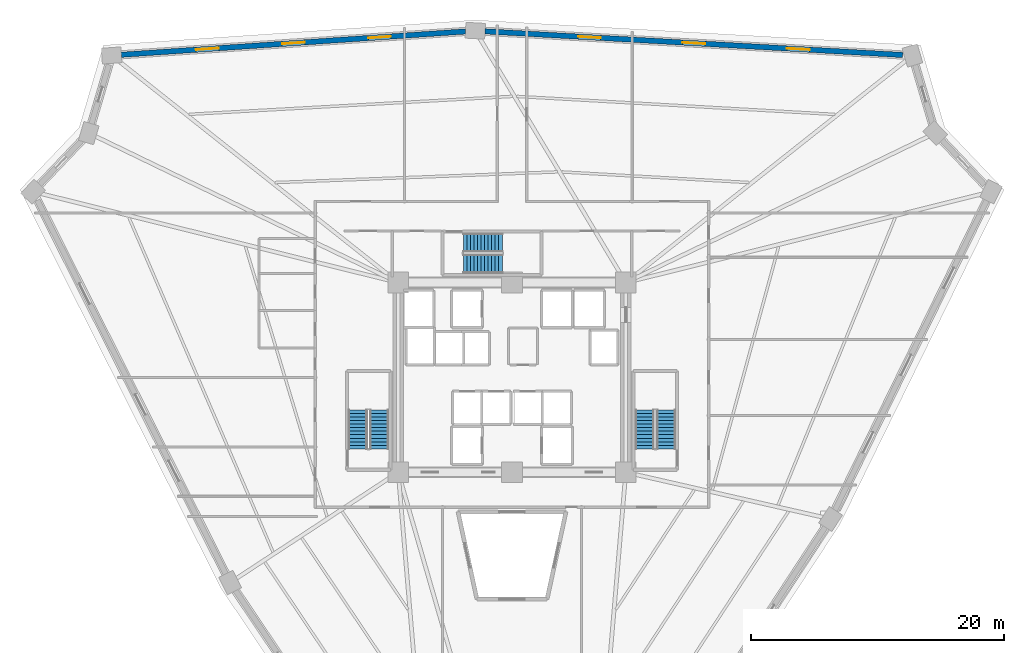
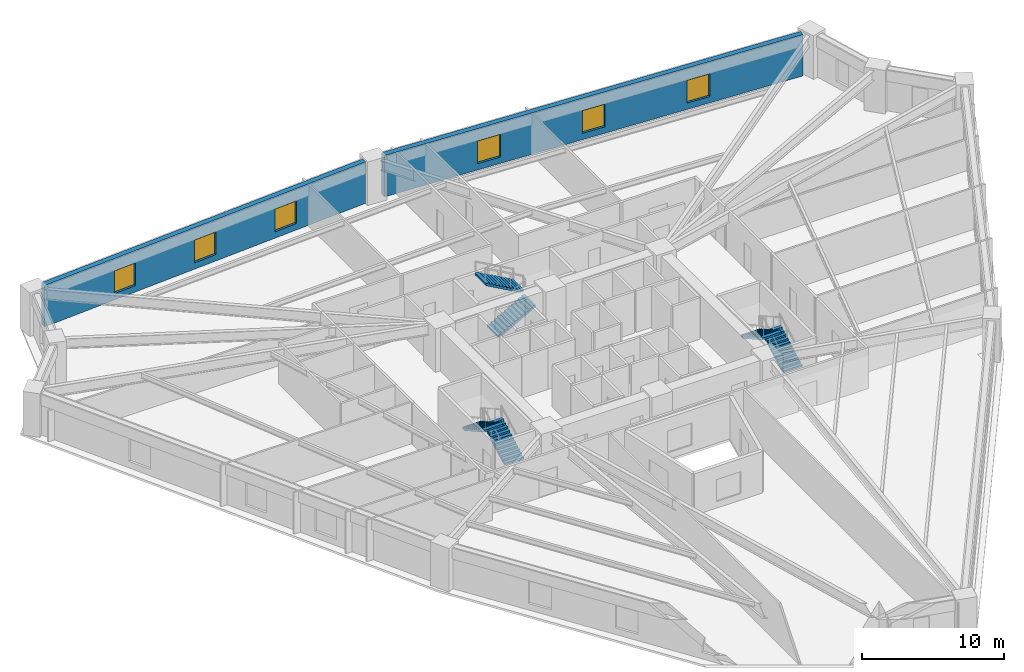
# One storey, part 7 of 9: 6 stair flights, 6 windows, 2 walls, 6 openings, 3 elements without a shape of their own.
"""IFC4 building model written with IfcOpenShell, lengths in metres."""

from ifc_helpers import new_model, si_unit, direction, frame, frame_2d, origin, place, context, subcontext, project, spatial, polyline, rectangle, outline, extrude, source, transform, mapped, material, layer, layer_set, type_object, element, fill, aggregate, save


model = new_model("IFC4")

# Units and contexts
model_context = context("Model", 3, precision=1e-05, world=origin(), true_north=direction((0.0, 1.0)))
body_context = subcontext(model_context, "Body", "Model", "MODEL_VIEW")
ifc_project = project(units=[si_unit("LENGTHUNIT", "METRE"), si_unit("AREAUNIT", "SQUARE_METRE"), si_unit("VOLUMEUNIT", "CUBIC_METRE"), si_unit("PLANEANGLEUNIT", "RADIAN"), si_unit("MASSUNIT", "GRAM", prefix="KILO")], contexts=[model_context])

# Site, building, storey
site_placement = place(None, origin())
site = spatial("IfcSite", under=ifc_project, at=site_placement, CompositionType="ELEMENT")
building_placement = place(site_placement, origin())
building = spatial("IfcBuilding", under=site, at=building_placement, Name="Liaohun Quay Tower", CompositionType="ELEMENT")
storey_placement = place(building_placement, frame((0.0, 0.0, 74.25)))
storey = spatial("IfcBuildingStorey", under=building, at=storey_placement, Name="L19", CompositionType="ELEMENT", Elevation=74.25)

# Wall, openings, windows
ifc_material_1 = material(Name="Precast concrete C50 insulated sandwich", Category="concrete")
ifc_layer = layer(ifc_material_1, 0.419921875, Name="Precast concrete C50 insulated sandwich", Category="concrete")
ifc_layer_set = layer_set([ifc_layer], Name="Precast concrete C50 insulated sandwich")
wall_type = type_object("IfcWallType", Name="WAL-EXT-Z12", PredefinedType="SOLIDWALL", material=ifc_layer_set)
wall_1_placement = place(storey_placement, frame((90.902099609375, 79.5029296875, 0.0), z_axis=(0.0, 0.0, 1.0), x_axis=(-0.998398734181, 0.056568255998, 0.0)))
wall_1 = element("IfcWall", 1, at=wall_1_placement, inside=storey, type_object=wall_type, Name="L19 Brutalist Precast Pier Wall 06", PredefinedType="SOLIDWALL", context=body_context, shape_type="SweptSolid", body=[
    extrude(rectangle(XDim=33.093994140625, YDim=0.419921875, at=frame_2d((16.546875, 0.0))), origin(), (0.0, 0.0, 1.0), 3.570068359375),
])
shared_shape_1 = source(origin(), body_context, "Body", "SweptSolid", [
    extrude(rectangle(XDim=1.800048828125, YDim=1.949951171875, at=frame_2d((0.89990234375, 0.97509765625))), frame((0.0, 0.219970703125, 0.0), z_axis=(0.0, -1.0, 0.0), x_axis=(1.0, 0.0, 0.0)), (0.0, 0.0, 1.0), 0.43994140625),
])
opening_1_placement = place(wall_1_placement, frame((7.373046875, 0.0, 0.550048828125)))
opening_1 = element("IfcOpeningElement", 2, at=opening_1_placement, cuts=wall_1, Name="Opening W01", PredefinedType="OPENING", context=body_context, shape_type="MappedRepresentation", body=[
    mapped(shared_shape_1, transform((0.0, 0.0, 0.0), x_axis=(1.0, 0.0, 0.0), y_axis=(0.0, 1.0, 0.0), z_axis=(0.0, 0.0, 1.0), scale=1.0)),
])
opening_2_placement = place(wall_1_placement, frame((15.64697265625, 0.0, 0.550048828125)))
opening_2 = element("IfcOpeningElement", 3, at=opening_2_placement, cuts=wall_1, Name="Opening W01", PredefinedType="OPENING", context=body_context, shape_type="MappedRepresentation", body=[
    mapped(shared_shape_1, transform((0.0, 0.0, 0.0), x_axis=(1.0, 0.0, 0.0), y_axis=(0.0, 1.0, 0.0), z_axis=(0.0, 0.0, 1.0), scale=1.0)),
])
opening_3_placement = place(wall_1_placement, frame((23.919921875, 0.0, 0.550048828125)))
opening_3 = element("IfcOpeningElement", 4, at=opening_3_placement, cuts=wall_1, Name="Opening W01", PredefinedType="OPENING", context=body_context, shape_type="MappedRepresentation", body=[
    mapped(shared_shape_1, transform((0.0, 0.0, 0.0), x_axis=(1.0, 0.0, 0.0), y_axis=(0.0, 1.0, 0.0), z_axis=(0.0, 0.0, 1.0), scale=1.0)),
])
ifc_material_2 = material(Name="Triple Low-E argon glazing in thermally broken aluminium", Category="aluminium")
window_type = type_object("IfcWindowType", Name="WIN-PUN-Z1", PartitioningType="DOUBLE_PANEL_VERTICAL", PredefinedType="WINDOW", material=ifc_material_2)
shared_shape_2 = source(origin(), body_context, "Body", "SweptSolid", [
    extrude(rectangle(XDim=1.800048828125, YDim=1.949951171875, at=frame_2d((0.89990234375, 0.97509765625))), frame((0.0, 0.030029296875, 0.0), z_axis=(0.0, -1.0, 0.0), x_axis=(1.0, 0.0, 0.0)), (0.0, 0.0, 1.0), 0.06005859375),
])
window_1_placement = place(opening_1_placement, origin())
window_1 = element("IfcWindow", 5, at=window_1_placement, inside=storey, type_object=window_type, Name="L19 Recessed Cold-Climate Punched Window 06-1", OverallHeight=1.949951171875, OverallWidth=1.800048828125, PartitioningType="DOUBLE_PANEL_VERTICAL", PredefinedType="WINDOW", context=body_context, shape_type="MappedRepresentation", body=[
    mapped(shared_shape_2, transform((0.0, 0.0, 0.0), x_axis=(1.0, 0.0, 0.0), y_axis=(0.0, 1.0, 0.0), z_axis=(0.0, 0.0, 1.0), scale=1.0)),
])
fill(opening_1, window_1)
window_2_placement = place(opening_2_placement, origin())
window_2 = element("IfcWindow", 6, at=window_2_placement, inside=storey, type_object=window_type, Name="L19 Recessed Cold-Climate Punched Window 06-2", OverallHeight=1.949951171875, OverallWidth=1.800048828125, PartitioningType="DOUBLE_PANEL_VERTICAL", PredefinedType="WINDOW", context=body_context, shape_type="MappedRepresentation", body=[
    mapped(shared_shape_2, transform((0.0, 0.0, 0.0), x_axis=(1.0, 0.0, 0.0), y_axis=(0.0, 1.0, 0.0), z_axis=(0.0, 0.0, 1.0), scale=1.0)),
])
fill(opening_2, window_2)
window_3_placement = place(opening_3_placement, origin())
window_3 = element("IfcWindow", 7, at=window_3_placement, inside=storey, type_object=window_type, Name="L19 Recessed Cold-Climate Punched Window 06-3", OverallHeight=1.949951171875, OverallWidth=1.800048828125, PartitioningType="DOUBLE_PANEL_VERTICAL", PredefinedType="WINDOW", context=body_context, shape_type="MappedRepresentation", body=[
    mapped(shared_shape_2, transform((0.0, 0.0, 0.0), x_axis=(1.0, 0.0, 0.0), y_axis=(0.0, 1.0, 0.0), z_axis=(0.0, 0.0, 1.0), scale=1.0)),
])
fill(opening_3, window_3)

wall_2_placement = place(storey_placement, frame((56.333984375, 81.365966796875, 0.0), z_axis=(0.0, 0.0, 1.0), x_axis=(-0.997708484566, -0.067659292233, 0.0)))
wall_2 = element("IfcWall", 8, at=wall_2_placement, inside=storey, type_object=wall_type, Name="L19 Brutalist Precast Pier Wall 07", PredefinedType="SOLIDWALL", context=body_context, shape_type="SweptSolid", body=[
    extrude(rectangle(XDim=27.29736328125, YDim=0.419921875, at=frame_2d((13.648681640625, 0.0))), origin(), (0.0, 0.0, 1.0), 3.570068359375),
])
opening_4_placement = place(wall_2_placement, frame((5.924072265625, 0.0, 0.550048828125)))
opening_4 = element("IfcOpeningElement", 9, at=opening_4_placement, cuts=wall_2, Name="Opening W01", PredefinedType="OPENING", context=body_context, shape_type="MappedRepresentation", body=[
    mapped(shared_shape_1, transform((0.0, 0.0, 0.0), x_axis=(1.0, 0.0, 0.0), y_axis=(0.0, 1.0, 0.0), z_axis=(0.0, 0.0, 1.0), scale=1.0)),
])
opening_5_placement = place(wall_2_placement, frame((12.7490234375, 0.0, 0.550048828125)))
opening_5 = element("IfcOpeningElement", 10, at=opening_5_placement, cuts=wall_2, Name="Opening W01", PredefinedType="OPENING", context=body_context, shape_type="MappedRepresentation", body=[
    mapped(shared_shape_1, transform((0.0, 0.0, 0.0), x_axis=(1.0, 0.0, 0.0), y_axis=(0.0, 1.0, 0.0), z_axis=(0.0, 0.0, 1.0), scale=1.0)),
])
opening_6_placement = place(wall_2_placement, frame((19.572998046875, 0.0, 0.550048828125)))
opening_6 = element("IfcOpeningElement", 11, at=opening_6_placement, cuts=wall_2, Name="Opening W01", PredefinedType="OPENING", context=body_context, shape_type="MappedRepresentation", body=[
    mapped(shared_shape_1, transform((0.0, 0.0, 0.0), x_axis=(1.0, 0.0, 0.0), y_axis=(0.0, 1.0, 0.0), z_axis=(0.0, 0.0, 1.0), scale=1.0)),
])
window_4_placement = place(opening_4_placement, origin())
window_4 = element("IfcWindow", 12, at=window_4_placement, inside=storey, type_object=window_type, Name="L19 Recessed Cold-Climate Punched Window 07-1", OverallHeight=1.949951171875, OverallWidth=1.800048828125, PartitioningType="DOUBLE_PANEL_VERTICAL", PredefinedType="WINDOW", context=body_context, shape_type="MappedRepresentation", body=[
    mapped(shared_shape_2, transform((0.0, 0.0, 0.0), x_axis=(1.0, 0.0, 0.0), y_axis=(0.0, 1.0, 0.0), z_axis=(0.0, 0.0, 1.0), scale=1.0)),
])
fill(opening_4, window_4)
window_5_placement = place(opening_5_placement, origin())
window_5 = element("IfcWindow", 13, at=window_5_placement, inside=storey, type_object=window_type, Name="L19 Recessed Cold-Climate Punched Window 07-2", OverallHeight=1.949951171875, OverallWidth=1.800048828125, PartitioningType="DOUBLE_PANEL_VERTICAL", PredefinedType="WINDOW", context=body_context, shape_type="MappedRepresentation", body=[
    mapped(shared_shape_2, transform((0.0, 0.0, 0.0), x_axis=(1.0, 0.0, 0.0), y_axis=(0.0, 1.0, 0.0), z_axis=(0.0, 0.0, 1.0), scale=1.0)),
])
fill(opening_5, window_5)
window_6_placement = place(opening_6_placement, origin())
window_6 = element("IfcWindow", 14, at=window_6_placement, inside=storey, type_object=window_type, Name="L19 Recessed Cold-Climate Punched Window 07-3", OverallHeight=1.949951171875, OverallWidth=1.800048828125, PartitioningType="DOUBLE_PANEL_VERTICAL", PredefinedType="WINDOW", context=body_context, shape_type="MappedRepresentation", body=[
    mapped(shared_shape_2, transform((0.0, 0.0, 0.0), x_axis=(1.0, 0.0, 0.0), y_axis=(0.0, 1.0, 0.0), z_axis=(0.0, 0.0, 1.0), scale=1.0)),
])
fill(opening_6, window_6)

# Stair, stair flights
ifc_material_3 = material(Name="Concrete C45", Category="concrete")
stair_type = type_object("IfcStairType", Name="STR-CORE-OFF", PredefinedType="HALF_TURN_STAIR", material=ifc_material_3)
stair_1_placement = place(storey_placement, origin())
stair_1 = element("IfcStair", 15, at=stair_1_placement, inside=storey, type_object=stair_type, Name="L19 Smokeproof Core Exit Stair ST-1", PredefinedType="HALF_TURN_STAIR")
stair_flight_type = type_object("IfcStairFlightType", Name="FLT-CORE-155", PredefinedType="STRAIGHT", material=ifc_material_3)
stair_flight_1_placement = place(storey_placement, frame((49.5048828125, 48.35009765625, 0.0), z_axis=(0.0, 0.0, 1.0), x_axis=(0.0, 1.0, 0.0)))
stair_flight_1 = element("IfcStairFlight", 16, at=stair_flight_1_placement, type_object=stair_flight_type, Name="ST-1 flight 1", NumberOfRisers=12, NumberOfTreads=11, PredefinedType="STRAIGHT", RiserHeight=0.15625, TreadLength=0.28, context=body_context, shape_type="SweptSolid", body=[
    extrude(outline(polyline([(0.0, 0.0), (0.0, 0.15625), (0.280029296875, 0.15625), (0.280029296875, 0.3125), (0.56005859375, 0.3125), (0.56005859375, 0.46875), (0.840087890625, 0.46875), (0.840087890625, 0.625), (1.1201171875, 0.625), (1.1201171875, 0.78125), (1.39990234375, 0.78125), (1.39990234375, 0.9375), (1.679931640625, 0.9375), (1.679931640625, 1.09375), (1.9599609375, 1.09375), (1.9599609375, 1.25), (2.239990234375, 1.25), (2.239990234375, 1.40625), (2.52001953125, 1.40625), (2.52001953125, 1.5625), (2.800048828125, 1.5625), (2.800048828125, 1.71875), (3.080078125, 1.71875), (3.080078125, 1.875), (3.080078125, 1.547119140625), (0.3076171875, 0.0), (0.0, 0.0)])), frame((0.0, 0.77490234375, 0.0), z_axis=(0.0, -1.0, 0.0), x_axis=(1.0, 0.0, 0.0)), (0.0, 0.0, 1.0), 1.550048828125),
])
stair_flight_2_placement = place(storey_placement, frame((47.81494140625, 51.429931640625, 1.875), z_axis=(0.0, 0.0, 1.0), x_axis=(0.0, -1.0, 0.0)))
stair_flight_2 = element("IfcStairFlight", 17, at=stair_flight_2_placement, type_object=stair_flight_type, Name="ST-1 flight 2", NumberOfRisers=12, NumberOfTreads=11, PredefinedType="STRAIGHT", RiserHeight=0.15625, TreadLength=0.28, context=body_context, shape_type="SweptSolid", body=[
    extrude(outline(polyline([(0.0, 0.0), (0.0, 0.15625), (0.280029296875, 0.15625), (0.280029296875, 0.3125), (0.56005859375, 0.3125), (0.56005859375, 0.46875), (0.840087890625, 0.46875), (0.840087890625, 0.625), (1.1201171875, 0.625), (1.1201171875, 0.78125), (1.39990234375, 0.78125), (1.39990234375, 0.9375), (1.679931640625, 0.9375), (1.679931640625, 1.09375), (1.9599609375, 1.09375), (1.9599609375, 1.25), (2.239990234375, 1.25), (2.239990234375, 1.40625), (2.52001953125, 1.40625), (2.52001953125, 1.5625), (2.800048828125, 1.5625), (2.800048828125, 1.71875), (3.080078125, 1.71875), (3.080078125, 1.875), (3.080078125, 1.547119140625), (0.3076171875, 0.0), (0.0, 0.0)])), frame((0.0, 0.77490234375, 0.0), z_axis=(0.0, -1.0, 0.0), x_axis=(1.0, 0.0, 0.0)), (0.0, 0.0, 1.0), 1.550048828125),
])
aggregate(stair_1, [stair_flight_1, stair_flight_2])

stair_2_placement = place(storey_placement, origin())
stair_2 = element("IfcStair", 18, at=stair_2_placement, inside=storey, type_object=stair_type, Name="L19 Smokeproof Core Exit Stair ST-2", PredefinedType="HALF_TURN_STAIR")
stair_flight_3_placement = place(storey_placement, frame((72.18505859375, 48.35009765625, 0.0), z_axis=(0.0, 0.0, 1.0), x_axis=(0.0, 1.0, 0.0)))
stair_flight_3 = element("IfcStairFlight", 19, at=stair_flight_3_placement, type_object=stair_flight_type, Name="ST-2 flight 1", NumberOfRisers=12, NumberOfTreads=11, PredefinedType="STRAIGHT", RiserHeight=0.15625, TreadLength=0.28, context=body_context, shape_type="SweptSolid", body=[
    extrude(outline(polyline([(0.0, 0.0), (0.0, 0.15625), (0.280029296875, 0.15625), (0.280029296875, 0.3125), (0.56005859375, 0.3125), (0.56005859375, 0.46875), (0.840087890625, 0.46875), (0.840087890625, 0.625), (1.1201171875, 0.625), (1.1201171875, 0.78125), (1.39990234375, 0.78125), (1.39990234375, 0.9375), (1.679931640625, 0.9375), (1.679931640625, 1.09375), (1.9599609375, 1.09375), (1.9599609375, 1.25), (2.239990234375, 1.25), (2.239990234375, 1.40625), (2.52001953125, 1.40625), (2.52001953125, 1.5625), (2.800048828125, 1.5625), (2.800048828125, 1.71875), (3.080078125, 1.71875), (3.080078125, 1.875), (3.080078125, 1.547119140625), (0.3076171875, 0.0), (0.0, 0.0)])), frame((0.0, 0.77490234375, 0.0), z_axis=(0.0, -1.0, 0.0), x_axis=(1.0, 0.0, 0.0)), (0.0, 0.0, 1.0), 1.550048828125),
])
stair_flight_4_placement = place(storey_placement, frame((70.4951171875, 51.429931640625, 1.875), z_axis=(0.0, 0.0, 1.0), x_axis=(0.0, -1.0, 0.0)))
stair_flight_4 = element("IfcStairFlight", 20, at=stair_flight_4_placement, type_object=stair_flight_type, Name="ST-2 flight 2", NumberOfRisers=12, NumberOfTreads=11, PredefinedType="STRAIGHT", RiserHeight=0.15625, TreadLength=0.28, context=body_context, shape_type="SweptSolid", body=[
    extrude(outline(polyline([(0.0, 0.0), (0.0, 0.15625), (0.280029296875, 0.15625), (0.280029296875, 0.3125), (0.56005859375, 0.3125), (0.56005859375, 0.46875), (0.840087890625, 0.46875), (0.840087890625, 0.625), (1.1201171875, 0.625), (1.1201171875, 0.78125), (1.39990234375, 0.78125), (1.39990234375, 0.9375), (1.679931640625, 0.9375), (1.679931640625, 1.09375), (1.9599609375, 1.09375), (1.9599609375, 1.25), (2.239990234375, 1.25), (2.239990234375, 1.40625), (2.52001953125, 1.40625), (2.52001953125, 1.5625), (2.800048828125, 1.5625), (2.800048828125, 1.71875), (3.080078125, 1.71875), (3.080078125, 1.875), (3.080078125, 1.547119140625), (0.3076171875, 0.0), (0.0, 0.0)])), frame((0.0, 0.77490234375, 0.0), z_axis=(0.0, -1.0, 0.0), x_axis=(1.0, 0.0, 0.0)), (0.0, 0.0, 1.0), 1.550048828125),
])
aggregate(stair_2, [stair_flight_3, stair_flight_4])

stair_3_placement = place(storey_placement, origin())
stair_3 = element("IfcStair", 21, at=stair_3_placement, inside=storey, type_object=stair_type, Name="L19 Smokeproof Core Exit Stair ST-3", PredefinedType="HALF_TURN_STAIR")
stair_flight_5_placement = place(storey_placement, frame((56.14990234375, 62.97509765625, 0.0), z_axis=(0.0, 0.0, 1.0), x_axis=(1.0, 0.0, 0.0)))
stair_flight_5 = element("IfcStairFlight", 22, at=stair_flight_5_placement, type_object=stair_flight_type, Name="ST-3 flight 1", NumberOfRisers=12, NumberOfTreads=11, PredefinedType="STRAIGHT", RiserHeight=0.15625, TreadLength=0.28, context=body_context, shape_type="SweptSolid", body=[
    extrude(outline(polyline([(0.0, 0.0), (0.0, 0.15625), (0.280029296875, 0.15625), (0.280029296875, 0.3125), (0.56005859375, 0.3125), (0.56005859375, 0.46875), (0.840087890625, 0.46875), (0.840087890625, 0.625), (1.1201171875, 0.625), (1.1201171875, 0.78125), (1.39990234375, 0.78125), (1.39990234375, 0.9375), (1.679931640625, 0.9375), (1.679931640625, 1.09375), (1.9599609375, 1.09375), (1.9599609375, 1.25), (2.239990234375, 1.25), (2.239990234375, 1.40625), (2.52001953125, 1.40625), (2.52001953125, 1.5625), (2.800048828125, 1.5625), (2.800048828125, 1.71875), (3.080078125, 1.71875), (3.080078125, 1.875), (3.080078125, 1.547119140625), (0.3076171875, 0.0), (0.0, 0.0)])), frame((0.0, 0.77490234375, 0.0), z_axis=(0.0, -1.0, 0.0), x_axis=(1.0, 0.0, 0.0)), (0.0, 0.0, 1.0), 1.550048828125),
])
stair_flight_6_placement = place(storey_placement, frame((59.22998046875, 64.6650390625, 1.875), z_axis=(0.0, 0.0, 1.0), x_axis=(-1.0, 0.0, 0.0)))
stair_flight_6 = element("IfcStairFlight", 23, at=stair_flight_6_placement, type_object=stair_flight_type, Name="ST-3 flight 2", NumberOfRisers=12, NumberOfTreads=11, PredefinedType="STRAIGHT", RiserHeight=0.15625, TreadLength=0.28, context=body_context, shape_type="SweptSolid", body=[
    extrude(outline(polyline([(0.0, 0.0), (0.0, 0.15625), (0.280029296875, 0.15625), (0.280029296875, 0.3125), (0.56005859375, 0.3125), (0.56005859375, 0.46875), (0.840087890625, 0.46875), (0.840087890625, 0.625), (1.1201171875, 0.625), (1.1201171875, 0.78125), (1.39990234375, 0.78125), (1.39990234375, 0.9375), (1.679931640625, 0.9375), (1.679931640625, 1.09375), (1.9599609375, 1.09375), (1.9599609375, 1.25), (2.239990234375, 1.25), (2.239990234375, 1.40625), (2.52001953125, 1.40625), (2.52001953125, 1.5625), (2.800048828125, 1.5625), (2.800048828125, 1.71875), (3.080078125, 1.71875), (3.080078125, 1.875), (3.080078125, 1.547119140625), (0.3076171875, 0.0), (0.0, 0.0)])), frame((0.0, 0.77490234375, 0.0), z_axis=(0.0, -1.0, 0.0), x_axis=(1.0, 0.0, 0.0)), (0.0, 0.0, 1.0), 1.550048828125),
])
aggregate(stair_3, [stair_flight_5, stair_flight_6])

save(model, "model.ifc")
